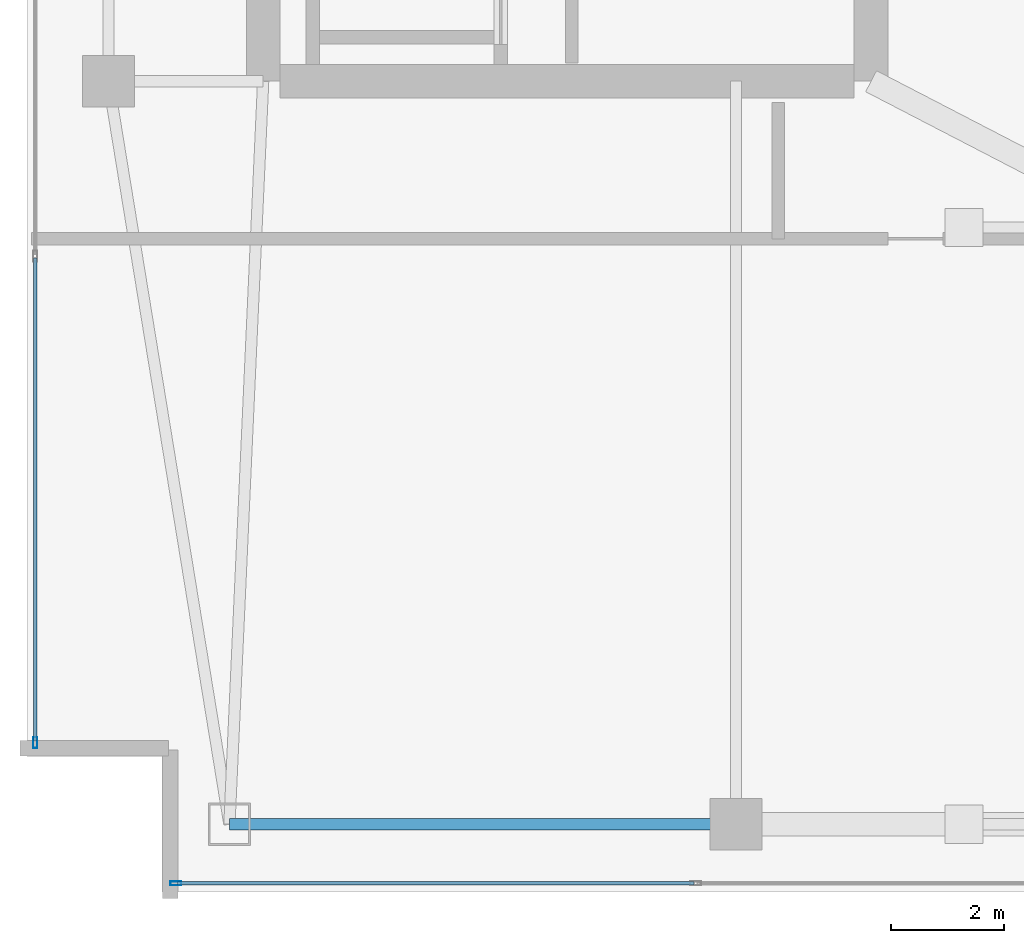
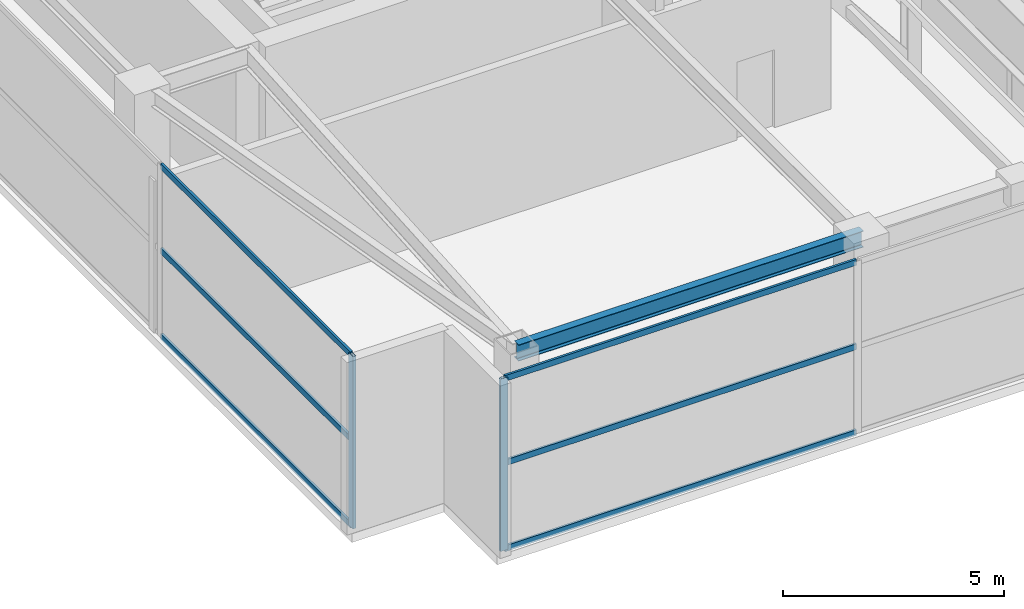
# One storey, part 3 of 20: 8 members, 1 beam, 2 elements without a shape of their own.
"""IFC4 building model written with IfcOpenShell, lengths in metres."""

from ifc_helpers import new_model, si_unit, direction, frame, origin, origin_2d, place, context, subcontext, project, spatial, hollow_rectangle, i_section, extrude, material, layer, layer_set, material_profile, profile_set, type_object, element, aggregate, save


model = new_model("IFC4")

# Units and contexts
model_context = context("Model", 3, precision=1e-05, world=origin(), true_north=direction((0.0, 1.0)))
body_context = subcontext(model_context, "Body", "Model", "MODEL_VIEW")
ifc_project = project(units=[si_unit("LENGTHUNIT", "METRE"), si_unit("AREAUNIT", "SQUARE_METRE"), si_unit("VOLUMEUNIT", "CUBIC_METRE"), si_unit("PLANEANGLEUNIT", "RADIAN"), si_unit("MASSUNIT", "GRAM", prefix="KILO")], contexts=[model_context])

# Site, building, storey
site_placement = place(None, origin())
site = spatial("IfcSite", under=ifc_project, at=site_placement, CompositionType="ELEMENT")
building_placement = place(site_placement, origin())
building = spatial("IfcBuilding", under=site, at=building_placement, Name="Calvorn Quay Hotel", CompositionType="ELEMENT")
storey_placement = place(building_placement, frame((0.0, 0.0, 340.5)))
storey = spatial("IfcBuildingStorey", under=building, at=storey_placement, Name="L83", CompositionType="ELEMENT", Elevation=340.5)

# Beam
ifc_material_1 = material(Name="Steel Q355B", Category="steel")
ifc_material_profile_1 = material_profile(ifc_material_1, i_section(OverallWidth=0.199951171875, OverallDepth=0.449951171875, WebThickness=0.009033203125, FlangeThickness=0.013916015625, FilletRadius=0.01611328125, at=origin_2d()), Name="HN450x200x9x14")
ifc_profile_set_1 = profile_set([ifc_material_profile_1], Name="Steel Q355B")
beam_type = type_object("IfcBeamType", Name="BM-SPANDREL-Z3", PredefinedType="SPANDREL", material=ifc_profile_set_1)
beam_placement = place(storey_placement, frame((3.60009765625, 3.60009765625, 4.514892578125), z_axis=(1.0, 0.0, 0.0), x_axis=(0.0, 1.0, 0.0)))
element("IfcBeam", 1, at=beam_placement, inside=storey, type_object=beam_type, Name="Beam BSP-L83-CS1", PredefinedType="SPANDREL", context=body_context, shape_type="SweptSolid", body=[
    extrude(i_section(OverallWidth=0.199951171875, OverallDepth=0.449951171875, WebThickness=0.009033203125, FlangeThickness=0.013916015625, FilletRadius=0.01611328125, at=origin_2d()), origin(), (0.0, 0.0, 1.0), 9.0),
])

# Curtain wall, member
ifc_material_2 = material(Name="Pale Anodised Aluminium and Laminated Glass", Category="aluminium")
ifc_layer = layer(ifc_material_2, 0.219970703125)
ifc_layer_set = layer_set([ifc_layer], Name="CW-SYS-CRN")
curtain_wall_type = type_object("IfcCurtainWallType", Name="CW-SYS-CRN", PredefinedType="NOTDEFINED", material=ifc_layer_set)
curtain_wall_1_placement = place(storey_placement, origin())
curtain_wall_1 = element("IfcCurtainWall", 2, at=curtain_wall_1_placement, inside=storey, type_object=curtain_wall_type, Name="Crown Curtain Wall L83-C1", PredefinedType="NOTDEFINED")
ifc_material_3 = material(Name="Pale Anodised Aluminium 6063-T6", Category="aluminium")
ifc_material_profile_2 = material_profile(ifc_material_3, hollow_rectangle(XDim=0.072021484375, YDim=0.195068359375, WallThickness=0.00390625, at=origin_2d()), Name="ALU-M195x72x4")
ifc_profile_set_2 = profile_set([ifc_material_profile_2], Name="Pale Anodised Aluminium 6063-T6")
member_type_1 = type_object("IfcMemberType", Name="CW-SYS-CRN-MUL", PredefinedType="MULLION", material=ifc_profile_set_2)
member_1_placement = place(storey_placement, frame((2.64990234375, 2.550048828125, 0.0), z_axis=(0.0, 0.0, 1.0), x_axis=(0.0, 1.0, 0.0)))
member_1 = element("IfcMember", 3, at=member_1_placement, type_object=member_type_1, Name="CW-L83-C1 mullion 1", PredefinedType="MULLION", context=body_context, shape_type="SweptSolid", body=[
    extrude(hollow_rectangle(XDim=0.072021484375, YDim=0.195068359375, WallThickness=0.00390625, at=origin_2d()), origin(), (0.0, 0.0, 1.0), 4.760009765625),
])

curtain_wall_2_placement = place(storey_placement, origin())
curtain_wall_2 = element("IfcCurtainWall", 4, at=curtain_wall_2_placement, inside=storey, type_object=curtain_wall_type, Name="Crown Curtain Wall L83-C3", PredefinedType="NOTDEFINED")
member_2_placement = place(storey_placement, frame((0.14990234375, 5.050048828125, 0.0), z_axis=(0.0, 0.0, 1.0), x_axis=(1.0, 0.0, 0.0)))
member_2 = element("IfcMember", 5, at=member_2_placement, type_object=member_type_1, Name="CW-L83-C3 mullion 6", PredefinedType="MULLION", context=body_context, shape_type="SweptSolid", body=[
    extrude(hollow_rectangle(XDim=0.072021484375, YDim=0.195068359375, WallThickness=0.00390625, at=origin_2d()), origin(), (0.0, 0.0, 1.0), 4.760009765625),
])

# Member
ifc_material_4 = material(Name="Pale Anodised Aluminium 6063-T6", Category="aluminium")
ifc_material_profile_3 = material_profile(ifc_material_4, hollow_rectangle(XDim=0.06201171875, YDim=0.159912109375, WallThickness=0.00341796875, at=origin_2d()), Name="ALU-T160x62x3.5")
ifc_profile_set_3 = profile_set([ifc_material_profile_3], Name="Pale Anodised Aluminium 6063-T6")
member_type_2 = type_object("IfcMemberType", Name="CW-SYS-CRN-TRN", PredefinedType="USERDEFINED", material=ifc_profile_set_3)
member_3_placement = place(storey_placement, frame((2.679931640625, 2.550048828125, 0.030029296875), z_axis=(1.0, 0.0, 0.0), x_axis=(0.0, 1.0, 0.0)))
member_3 = element("IfcMember", 6, at=member_3_placement, type_object=member_type_2, Name="CW-L83-C1 transom 1.1", ObjectType="TRANSOM", PredefinedType="USERDEFINED", context=body_context, shape_type="SweptSolid", body=[
    extrude(hollow_rectangle(XDim=0.06201171875, YDim=0.159912109375, WallThickness=0.00341796875, at=origin_2d()), origin(), (0.0, 0.0, 1.0), 9.173583984375),
])

member_4_placement = place(storey_placement, frame((2.679931640625, 2.550048828125, 2.39990234375), z_axis=(1.0, 0.0, 0.0), x_axis=(0.0, 1.0, 0.0)))
member_4 = element("IfcMember", 7, at=member_4_placement, type_object=member_type_2, Name="CW-L83-C1 transom 1.2", ObjectType="TRANSOM", PredefinedType="USERDEFINED", context=body_context, shape_type="SweptSolid", body=[
    extrude(hollow_rectangle(XDim=0.06201171875, YDim=0.159912109375, WallThickness=0.00341796875, at=origin_2d()), origin(), (0.0, 0.0, 1.0), 9.173583984375),
])

member_5_placement = place(storey_placement, frame((2.679931640625, 2.550048828125, 4.72998046875), z_axis=(1.0, 0.0, 0.0), x_axis=(0.0, 1.0, 0.0)))
member_5 = element("IfcMember", 8, at=member_5_placement, type_object=member_type_2, Name="CW-L83-C1 transom 1.3", ObjectType="TRANSOM", PredefinedType="USERDEFINED", context=body_context, shape_type="SweptSolid", body=[
    extrude(hollow_rectangle(XDim=0.06201171875, YDim=0.159912109375, WallThickness=0.00341796875, at=origin_2d()), origin(), (0.0, 0.0, 1.0), 9.173583984375),
])

aggregate(curtain_wall_1, [member_1, member_3, member_4, member_5])

member_6_placement = place(storey_placement, frame((0.14990234375, 13.662109375, 0.030029296875), z_axis=(0.0, -1.0, 0.0), x_axis=(1.0, 0.0, 0.0)))
member_6 = element("IfcMember", 9, at=member_6_placement, type_object=member_type_2, Name="CW-L83-C3 transom 5.1", ObjectType="TRANSOM", PredefinedType="USERDEFINED", context=body_context, shape_type="SweptSolid", body=[
    extrude(hollow_rectangle(XDim=0.06201171875, YDim=0.159912109375, WallThickness=0.00341796875, at=origin_2d()), origin(), (0.0, 0.0, 1.0), 8.58203125),
])

member_7_placement = place(storey_placement, frame((0.14990234375, 13.662109375, 2.39990234375), z_axis=(0.0, -1.0, 0.0), x_axis=(1.0, 0.0, 0.0)))
member_7 = element("IfcMember", 10, at=member_7_placement, type_object=member_type_2, Name="CW-L83-C3 transom 5.2", ObjectType="TRANSOM", PredefinedType="USERDEFINED", context=body_context, shape_type="SweptSolid", body=[
    extrude(hollow_rectangle(XDim=0.06201171875, YDim=0.159912109375, WallThickness=0.00341796875, at=origin_2d()), origin(), (0.0, 0.0, 1.0), 8.58203125),
])

member_8_placement = place(storey_placement, frame((0.14990234375, 13.662109375, 4.72998046875), z_axis=(0.0, -1.0, 0.0), x_axis=(1.0, 0.0, 0.0)))
member_8 = element("IfcMember", 11, at=member_8_placement, type_object=member_type_2, Name="CW-L83-C3 transom 5.3", ObjectType="TRANSOM", PredefinedType="USERDEFINED", context=body_context, shape_type="SweptSolid", body=[
    extrude(hollow_rectangle(XDim=0.06201171875, YDim=0.159912109375, WallThickness=0.00341796875, at=origin_2d()), origin(), (0.0, 0.0, 1.0), 8.58203125),
])

aggregate(curtain_wall_2, [member_2, member_6, member_7, member_8])

save(model, "model.ifc")
